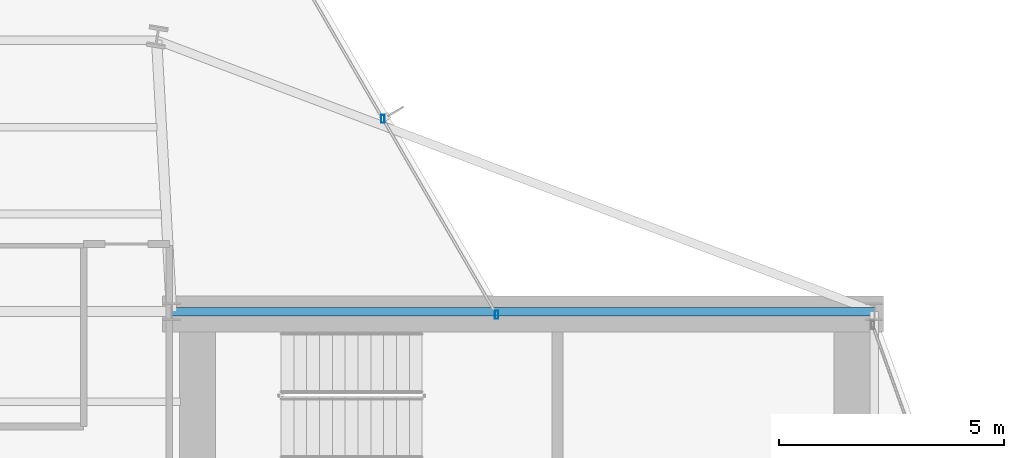
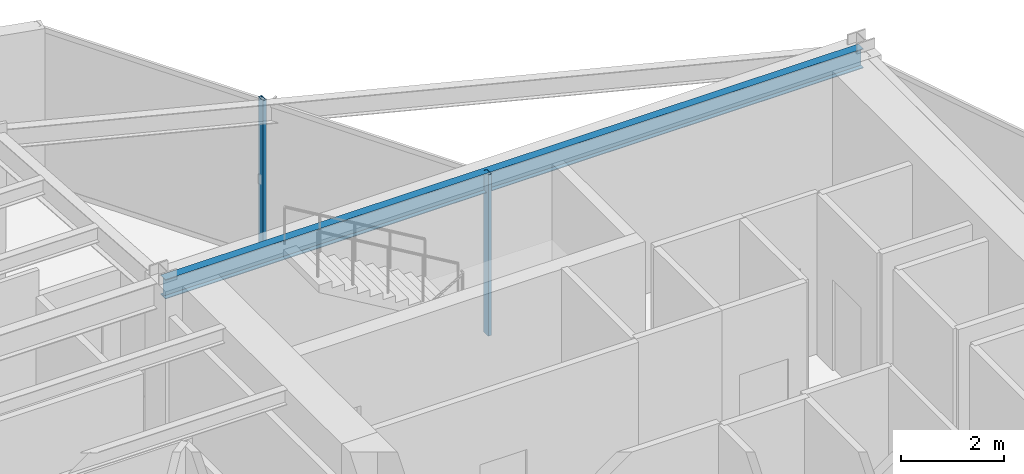
# One storey, part 15 of 25: 2 members, 1 beam, 1 element without a shape of its own.
"""IFC4 building model written with IfcOpenShell, lengths in metres."""

from ifc_helpers import new_model, si_unit, direction, frame, origin, origin_2d, place, context, subcontext, project, spatial, hollow_rectangle, i_section, extrude, material, layer, layer_set, material_profile, profile_set, type_object, element, aggregate, save


model = new_model("IFC4")

# Units and contexts
model_context = context("Model", 3, precision=1e-05, world=origin(), true_north=direction((0.0, 1.0)))
body_context = subcontext(model_context, "Body", "Model", "MODEL_VIEW")
ifc_project = project(units=[si_unit("LENGTHUNIT", "METRE"), si_unit("AREAUNIT", "SQUARE_METRE"), si_unit("VOLUMEUNIT", "CUBIC_METRE"), si_unit("PLANEANGLEUNIT", "RADIAN"), si_unit("MASSUNIT", "GRAM", prefix="KILO")], contexts=[model_context])

# Site, building, storey
site_placement = place(None, origin())
site = spatial("IfcSite", under=ifc_project, at=site_placement, CompositionType="ELEMENT")
building_placement = place(site_placement, origin())
building = spatial("IfcBuilding", under=site, at=building_placement, Name="Veymaron Broadcast Tower", CompositionType="ELEMENT")
storey_placement = place(building_placement, frame((0.0, 0.0, 173.550048828125)))
storey = spatial("IfcBuildingStorey", under=building, at=storey_placement, Name="L40", CompositionType="ELEMENT", Elevation=173.550048828125)

# Beam
ifc_material_1 = material(Name="Structural steel ASTM A992 Gr 50", Category="steel")
ifc_material_profile_1 = material_profile(ifc_material_1, i_section(OverallWidth=0.19091796875, OverallDepth=0.4599609375, WebThickness=0.010009765625, FlangeThickness=0.01611328125, at=origin_2d()), Name="W460X82")
ifc_profile_set_1 = profile_set([ifc_material_profile_1], Name="Structural steel ASTM A992 Gr 50")
beam_type = type_object("IfcBeamType", Name="BM-SP1", PredefinedType="SPANDREL", material=ifc_profile_set_1)
beam_placement = place(storey_placement, frame((39.0, 32.0, 3.579833984375), z_axis=(1.0, 0.0, 0.0), x_axis=(0.0, 1.0, 0.0)))
element("IfcBeam", 1, at=beam_placement, inside=storey, type_object=beam_type, Name="L40 primary structural floor girder", PredefinedType="SPANDREL", context=body_context, shape_type="SweptSolid", body=[
    extrude(i_section(OverallWidth=0.19091796875, OverallDepth=0.4599609375, WebThickness=0.010009765625, FlangeThickness=0.01611328125, at=origin_2d()), origin(), (0.0, 0.0, 1.0), 15.60009765625),
])

# Curtain wall, members
ifc_material_2 = material(Name="Anodised aluminium AA 6063-T6 and laminated low-E dark glass", Category="aluminium")
ifc_layer = layer(ifc_material_2, 0.179931640625)
ifc_layer_set = layer_set([ifc_layer], Name="Anodised aluminium AA 6063-T6 and laminated low-E dark glass")
curtain_wall_type = type_object("IfcCurtainWallType", Name="CW-SYS-03", PredefinedType="NOTDEFINED", material=ifc_layer_set)
curtain_wall_placement = place(storey_placement, origin())
curtain_wall = element("IfcCurtainWall", 2, at=curtain_wall_placement, inside=storey, type_object=curtain_wall_type, Name="L40 dark-glass curtain wall CW-L40-E5-1", PredefinedType="NOTDEFINED")
ifc_material_3 = material(Name="Anodised aluminium AA 6063-T6", Category="aluminium")
ifc_material_profile_2 = material_profile(ifc_material_3, hollow_rectangle(XDim=0.074951171875, YDim=0.179931640625, WallThickness=0.0048828125, at=origin_2d()), Name="AL180X75X5")
ifc_profile_set_2 = profile_set([ifc_material_profile_2], Name="Anodised aluminium AA 6063-T6")
member_type = type_object("IfcMemberType", Name="CW-MUL-02", PredefinedType="MULLION", material=ifc_profile_set_2)
member_1_placement = place(storey_placement, frame((46.21435546875, 31.9296875, 0.0), z_axis=(0.0, 0.0, 1.0), x_axis=(1.0, 0.0, 0.0)))
member_1 = element("IfcMember", 3, at=member_1_placement, type_object=member_type, Name="CW-L40-E5-1 mullion 0", PredefinedType="MULLION", context=body_context, shape_type="SweptSolid", body=[
    extrude(hollow_rectangle(XDim=0.074951171875, YDim=0.179931640625, WallThickness=0.0048828125, at=origin_2d()), origin(), (0.0, 0.0, 1.0), 3.81005859375),
])
member_2_placement = place(storey_placement, frame((43.690673828125, 36.276611328125, 0.0), z_axis=(0.0, 0.0, 1.0), x_axis=(1.0, 0.0, 0.0)))
member_2 = element("IfcMember", 4, at=member_2_placement, type_object=member_type, Name="CW-L40-E5-1 mullion 1", PredefinedType="MULLION", context=body_context, shape_type="SweptSolid", body=[
    extrude(hollow_rectangle(XDim=0.074951171875, YDim=0.179931640625, WallThickness=0.0048828125, at=origin_2d()), origin(), (0.0, 0.0, 1.0), 3.81005859375),
])
aggregate(curtain_wall, [member_1, member_2])

save(model, "model.ifc")
